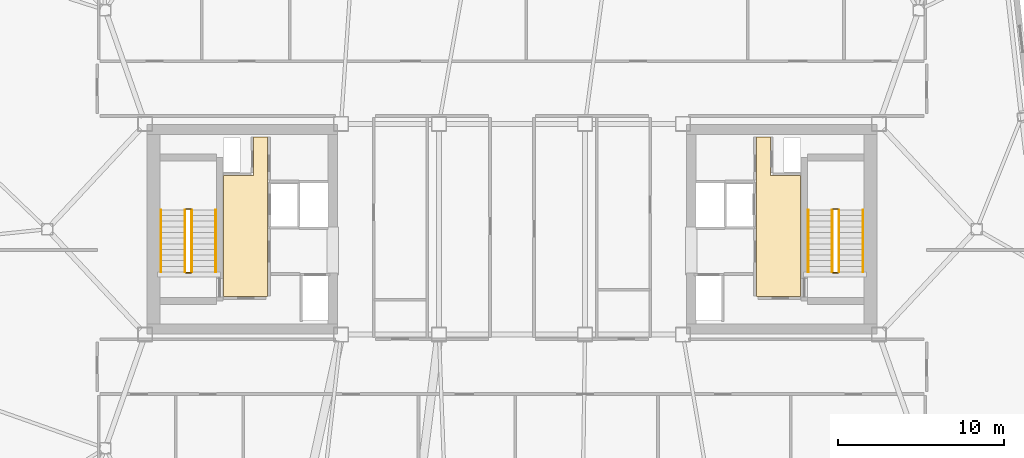
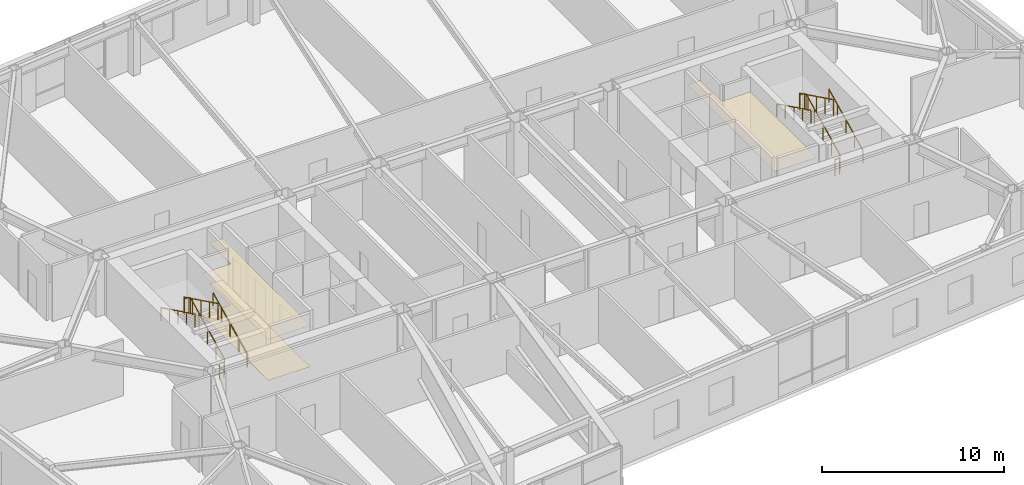
# One storey, part 19 of 19: 12 railings, 3 coverings.
"""IFC4 building model written with IfcOpenShell, lengths in metres."""

from ifc_helpers import new_model, si_unit, direction, frame, origin, origin_2d, place, context, subcontext, project, spatial, polyline, rectangle, outline, extrude, material, layer, layer_set, type_object, element, save


model = new_model("IFC4")

# Units and contexts
model_context = context("Model", 3, precision=1e-05, world=origin(), true_north=direction((0.0, 1.0)))
body_context = subcontext(model_context, "Body", "Model", "MODEL_VIEW")
ifc_project = project(units=[si_unit("LENGTHUNIT", "METRE"), si_unit("AREAUNIT", "SQUARE_METRE"), si_unit("VOLUMEUNIT", "CUBIC_METRE"), si_unit("PLANEANGLEUNIT", "RADIAN"), si_unit("MASSUNIT", "GRAM", prefix="KILO")], contexts=[model_context])

# Site, building, storey
site_placement = place(None, origin())
site = spatial("IfcSite", under=ifc_project, at=site_placement, CompositionType="ELEMENT")
building_placement = place(site_placement, origin())
building = spatial("IfcBuilding", under=site, at=building_placement, Name="Tavrogorsk Clinical Tower", CompositionType="ELEMENT")
storey_placement = place(building_placement, frame((0.0, 0.0, 218.199951171875)))
storey = spatial("IfcBuildingStorey", under=building, at=storey_placement, Name="L50", CompositionType="ELEMENT", Elevation=218.199951171875)

# Coverings
ifc_material_1 = material(Name="Antibacterial micro-perforated aluminium ceiling", Category="aluminium")
ifc_layer_1 = layer(ifc_material_1, 0.014892578125)
ifc_layer_set_1 = layer_set([ifc_layer_1], Name="Antibacterial micro-perforated aluminium ceiling")
covering_type_1 = type_object("IfcCoveringType", Name="ClinicalCeiling_15", PredefinedType="CEILING", material=ifc_layer_set_1)
covering_1_placement = place(storey_placement, frame((0.0, 0.0, 2.75)))
element("IfcCovering", 1, at=covering_1_placement, inside=storey, type_object=covering_type_1, Name="Core West Firefighting Lift Lobby Acoustic Ceiling", PredefinedType="CEILING", context=body_context, shape_type="SweptSolid", body=[
    extrude(outline(polyline([(-14.719970703125, 5.56005859375), (-14.719970703125, -4.06005859375), (-17.3798828125, -4.06005859375), (-17.3798828125, 3.239990234375), (-15.56005859375, 3.239990234375), (-15.56005859375, 5.56005859375), (-14.719970703125, 5.56005859375)])), origin(), (0.0, 0.0, 1.0), 0.01513671875),
])
covering_2_placement = place(storey_placement, frame((0.0, 0.0, 2.75)))
element("IfcCovering", 2, at=covering_2_placement, inside=storey, type_object=covering_type_1, Name="Core East Firefighting Lift Lobby Acoustic Ceiling", PredefinedType="CEILING", context=body_context, shape_type="SweptSolid", body=[
    extrude(outline(polyline([(17.3798828125, -4.06005859375), (14.719970703125, -4.06005859375), (14.719970703125, 5.56005859375), (15.56005859375, 5.56005859375), (15.56005859375, 3.239990234375), (17.3798828125, 3.239990234375), (17.3798828125, -4.06005859375)])), origin(), (0.0, 0.0, 1.0), 0.01513671875),
])
ifc_material_2 = material(Name="Homogeneous medical conductive PVC flooring")
ifc_layer_2 = layer(ifc_material_2, 0.008056640625)
ifc_layer_set_2 = layer_set([ifc_layer_2], Name="Homogeneous medical conductive PVC flooring")
covering_type_2 = type_object("IfcCoveringType", Name="ResilientVinylFloor_8", PredefinedType="FLOORING", material=ifc_layer_set_2)
covering_3_placement = place(storey_placement, origin())
element("IfcCovering", 3, at=covering_3_placement, inside=storey, type_object=covering_type_2, Name="Core West Firefighting Lift Lobby Conductive Vinyl Flooring", PredefinedType="FLOORING", context=body_context, shape_type="SweptSolid", body=[
    extrude(outline(polyline([(-14.719970703125, 5.56005859375), (-14.719970703125, -4.06005859375), (-17.3798828125, -4.06005859375), (-17.3798828125, 3.239990234375), (-15.56005859375, 3.239990234375), (-15.56005859375, 5.56005859375), (-14.719970703125, 5.56005859375)])), origin(), (0.0, 0.0, 1.0), 0.008056640625),
])

# Railings
ifc_material_3 = material(Name="Galvanised steel S355 safety stairwell guard", Category="steel")
ifc_layer_3 = layer(ifc_material_3, 0.06005859375)
ifc_layer_set_3 = layer_set([ifc_layer_3], Name="Galvanised steel S355 safety stairwell guard")
railing_type_1 = type_object("IfcRailingType", Name="StairGuard_1150", PredefinedType="GUARDRAIL", material=ifc_layer_set_3)
railing_1_placement = place(storey_placement, frame((-19.300048828125, -2.574951171875, 0.166748046875)))
element("IfcRailing", 4, at=railing_1_placement, inside=storey, type_object=railing_type_1, Name="L50 ST-W stair guard 1", PredefinedType="GUARDRAIL", context=body_context, shape_type="SweptSolid", body=[
    extrude(rectangle(XDim=0.048095703125, YDim=0.048095703125, at=origin_2d()), frame((0.0, 0.0, 1.076171875), z_axis=(0.0, 0.897927990467, 0.440142390523), x_axis=(-1.0, 0.0, 0.0)), (0.0, 0.0, 1.0), 4.1650390625),
    extrude(rectangle(XDim=0.0419921875, YDim=0.0419921875, at=origin_2d()), origin(), (0.0, 0.0, 1.0), 1.052001953125),
    extrude(rectangle(XDim=0.0419921875, YDim=0.0419921875, at=origin_2d()), frame((0.0, 0.93505859375, 0.458251953125)), (0.0, 0.0, 1.0), 1.052001953125),
    extrude(rectangle(XDim=0.0419921875, YDim=0.0419921875, at=origin_2d()), frame((0.0, 1.8701171875, 0.91650390625)), (0.0, 0.0, 1.0), 1.052001953125),
    extrude(rectangle(XDim=0.0419921875, YDim=0.0419921875, at=origin_2d()), frame((0.0, 2.804931640625, 1.375)), (0.0, 0.0, 1.0), 1.052001953125),
    extrude(rectangle(XDim=0.0419921875, YDim=0.0419921875, at=origin_2d()), frame((0.0, 3.739990234375, 1.833251953125)), (0.0, 0.0, 1.0), 1.052001953125),
])
railing_2_placement = place(storey_placement, frame((-19.35009765625, 1.215087890625, 2.0)))
element("IfcRailing", 5, at=railing_2_placement, inside=storey, type_object=railing_type_1, Name="L50 ST-W stair guard 2", PredefinedType="GUARDRAIL", context=body_context, shape_type="SweptSolid", body=[
    extrude(rectangle(XDim=0.048095703125, YDim=0.048095703125, at=origin_2d()), frame((0.0, 0.0, 1.076171875), z_axis=(-1.0, 0.0, 0.0), x_axis=(0.0, -1.0, 0.0)), (0.0, 0.0, 1.0), 0.2998046875),
    extrude(rectangle(XDim=0.0419921875, YDim=0.0419921875, at=origin_2d()), origin(), (0.0, 0.0, 1.0), 1.052001953125),
    extrude(rectangle(XDim=0.0419921875, YDim=0.0419921875, at=origin_2d()), frame((-0.2998046875, 0.0, 0.0)), (0.0, 0.0, 1.0), 1.052001953125),
])
railing_3_placement = place(storey_placement, frame((-19.699951171875, 1.1650390625, 2.166748046875)))
element("IfcRailing", 6, at=railing_3_placement, inside=storey, type_object=railing_type_1, Name="L50 ST-W stair guard 3", PredefinedType="GUARDRAIL", context=body_context, shape_type="SweptSolid", body=[
    extrude(rectangle(XDim=0.048095703125, YDim=0.048095703125, at=origin_2d()), frame((0.0, 0.0, 1.076171875), z_axis=(0.0, -0.897927990467, 0.440142390523), x_axis=(1.0, 0.0, 0.0)), (0.0, 0.0, 1.0), 4.1650390625),
    extrude(rectangle(XDim=0.0419921875, YDim=0.0419921875, at=origin_2d()), origin(), (0.0, 0.0, 1.0), 1.052001953125),
    extrude(rectangle(XDim=0.0419921875, YDim=0.0419921875, at=origin_2d()), frame((0.0, -0.93505859375, 0.458251953125)), (0.0, 0.0, 1.0), 1.052001953125),
    extrude(rectangle(XDim=0.0419921875, YDim=0.0419921875, at=origin_2d()), frame((0.0, -1.8701171875, 0.91650390625)), (0.0, 0.0, 1.0), 1.052001953125),
    extrude(rectangle(XDim=0.0419921875, YDim=0.0419921875, at=origin_2d()), frame((0.0, -2.804931640625, 1.375)), (0.0, 0.0, 1.0), 1.052001953125),
    extrude(rectangle(XDim=0.0419921875, YDim=0.0419921875, at=origin_2d()), frame((0.0, -3.739990234375, 1.833251953125)), (0.0, 0.0, 1.0), 1.052001953125),
])
railing_4_placement = place(storey_placement, frame((-19.35009765625, -2.625, 0.0)))
element("IfcRailing", 7, at=railing_4_placement, inside=storey, type_object=railing_type_1, Name="L50 ST-W stair guard 4", PredefinedType="GUARDRAIL", context=body_context, shape_type="SweptSolid", body=[
    extrude(rectangle(XDim=0.048095703125, YDim=0.048095703125, at=origin_2d()), frame((0.0, 0.0, 1.076171875), z_axis=(-1.0, 0.0, 0.0), x_axis=(0.0, -1.0, 0.0)), (0.0, 0.0, 1.0), 0.2998046875),
    extrude(rectangle(XDim=0.0419921875, YDim=0.0419921875, at=origin_2d()), origin(), (0.0, 0.0, 1.0), 1.052001953125),
    extrude(rectangle(XDim=0.0419921875, YDim=0.0419921875, at=origin_2d()), frame((-0.2998046875, 0.0, 0.0)), (0.0, 0.0, 1.0), 1.052001953125),
])
railing_5_placement = place(storey_placement, frame((19.699951171875, -2.574951171875, 0.166748046875)))
element("IfcRailing", 8, at=railing_5_placement, inside=storey, type_object=railing_type_1, Name="L50 ST-E stair guard 1", PredefinedType="GUARDRAIL", context=body_context, shape_type="SweptSolid", body=[
    extrude(rectangle(XDim=0.048095703125, YDim=0.048095703125, at=origin_2d()), frame((0.0, 0.0, 1.076171875), z_axis=(0.0, 0.897927990467, 0.440142390523), x_axis=(-1.0, 0.0, 0.0)), (0.0, 0.0, 1.0), 4.1650390625),
    extrude(rectangle(XDim=0.0419921875, YDim=0.0419921875, at=origin_2d()), origin(), (0.0, 0.0, 1.0), 1.052001953125),
    extrude(rectangle(XDim=0.0419921875, YDim=0.0419921875, at=origin_2d()), frame((0.0, 0.93505859375, 0.458251953125)), (0.0, 0.0, 1.0), 1.052001953125),
    extrude(rectangle(XDim=0.0419921875, YDim=0.0419921875, at=origin_2d()), frame((0.0, 1.8701171875, 0.91650390625)), (0.0, 0.0, 1.0), 1.052001953125),
    extrude(rectangle(XDim=0.0419921875, YDim=0.0419921875, at=origin_2d()), frame((0.0, 2.804931640625, 1.375)), (0.0, 0.0, 1.0), 1.052001953125),
    extrude(rectangle(XDim=0.0419921875, YDim=0.0419921875, at=origin_2d()), frame((0.0, 3.739990234375, 1.833251953125)), (0.0, 0.0, 1.0), 1.052001953125),
])
railing_6_placement = place(storey_placement, frame((19.64990234375, 1.215087890625, 2.0)))
element("IfcRailing", 9, at=railing_6_placement, inside=storey, type_object=railing_type_1, Name="L50 ST-E stair guard 2", PredefinedType="GUARDRAIL", context=body_context, shape_type="SweptSolid", body=[
    extrude(rectangle(XDim=0.048095703125, YDim=0.048095703125, at=origin_2d()), frame((0.0, 0.0, 1.076171875), z_axis=(-1.0, 0.0, 0.0), x_axis=(0.0, -1.0, 0.0)), (0.0, 0.0, 1.0), 0.2998046875),
    extrude(rectangle(XDim=0.0419921875, YDim=0.0419921875, at=origin_2d()), origin(), (0.0, 0.0, 1.0), 1.052001953125),
    extrude(rectangle(XDim=0.0419921875, YDim=0.0419921875, at=origin_2d()), frame((-0.2998046875, 0.0, 0.0)), (0.0, 0.0, 1.0), 1.052001953125),
])
railing_7_placement = place(storey_placement, frame((19.300048828125, 1.1650390625, 2.166748046875)))
element("IfcRailing", 10, at=railing_7_placement, inside=storey, type_object=railing_type_1, Name="L50 ST-E stair guard 3", PredefinedType="GUARDRAIL", context=body_context, shape_type="SweptSolid", body=[
    extrude(rectangle(XDim=0.048095703125, YDim=0.048095703125, at=origin_2d()), frame((0.0, 0.0, 1.076171875), z_axis=(0.0, -0.897927990467, 0.440142390523), x_axis=(1.0, 0.0, 0.0)), (0.0, 0.0, 1.0), 4.1650390625),
    extrude(rectangle(XDim=0.0419921875, YDim=0.0419921875, at=origin_2d()), origin(), (0.0, 0.0, 1.0), 1.052001953125),
    extrude(rectangle(XDim=0.0419921875, YDim=0.0419921875, at=origin_2d()), frame((0.0, -0.93505859375, 0.458251953125)), (0.0, 0.0, 1.0), 1.052001953125),
    extrude(rectangle(XDim=0.0419921875, YDim=0.0419921875, at=origin_2d()), frame((0.0, -1.8701171875, 0.91650390625)), (0.0, 0.0, 1.0), 1.052001953125),
    extrude(rectangle(XDim=0.0419921875, YDim=0.0419921875, at=origin_2d()), frame((0.0, -2.804931640625, 1.375)), (0.0, 0.0, 1.0), 1.052001953125),
    extrude(rectangle(XDim=0.0419921875, YDim=0.0419921875, at=origin_2d()), frame((0.0, -3.739990234375, 1.833251953125)), (0.0, 0.0, 1.0), 1.052001953125),
])
railing_8_placement = place(storey_placement, frame((19.64990234375, -2.625, 0.0)))
element("IfcRailing", 11, at=railing_8_placement, inside=storey, type_object=railing_type_1, Name="L50 ST-E stair guard 4", PredefinedType="GUARDRAIL", context=body_context, shape_type="SweptSolid", body=[
    extrude(rectangle(XDim=0.048095703125, YDim=0.048095703125, at=origin_2d()), frame((0.0, 0.0, 1.076171875), z_axis=(-1.0, 0.0, 0.0), x_axis=(0.0, -1.0, 0.0)), (0.0, 0.0, 1.0), 0.2998046875),
    extrude(rectangle(XDim=0.0419921875, YDim=0.0419921875, at=origin_2d()), origin(), (0.0, 0.0, 1.0), 1.052001953125),
    extrude(rectangle(XDim=0.0419921875, YDim=0.0419921875, at=origin_2d()), frame((-0.2998046875, 0.0, 0.0)), (0.0, 0.0, 1.0), 1.052001953125),
])
ifc_material_4 = material(Name="Stainless steel AISI 304 tubular handrail", Category="steel")
ifc_layer_4 = layer(ifc_material_4, 0.050048828125)
ifc_layer_set_4 = layer_set([ifc_layer_4], Name="Stainless steel AISI 304 tubular handrail")
railing_type_2 = type_object("IfcRailingType", Name="StairHandrail_920", PredefinedType="HANDRAIL", material=ifc_layer_set_4)
railing_9_placement = place(storey_placement, frame((-17.85009765625, -2.574951171875, 0.166748046875)))
element("IfcRailing", 12, at=railing_9_placement, inside=storey, type_object=railing_type_2, Name="L50 ST-W stair handrail 1", PredefinedType="HANDRAIL", context=body_context, shape_type="SweptSolid", body=[
    extrude(rectangle(XDim=0.048095703125, YDim=0.048095703125, at=origin_2d()), frame((0.0, 0.0, 0.8759765625), z_axis=(0.0, 0.897927990467, 0.440142390523), x_axis=(-1.0, 0.0, 0.0)), (0.0, 0.0, 1.0), 4.1650390625),
    extrude(rectangle(XDim=0.0419921875, YDim=0.0419921875, at=origin_2d()), origin(), (0.0, 0.0, 1.0), 0.851806640625),
    extrude(rectangle(XDim=0.0419921875, YDim=0.0419921875, at=origin_2d()), frame((0.0, 0.93505859375, 0.458251953125)), (0.0, 0.0, 1.0), 0.851806640625),
    extrude(rectangle(XDim=0.0419921875, YDim=0.0419921875, at=origin_2d()), frame((0.0, 1.8701171875, 0.91650390625)), (0.0, 0.0, 1.0), 0.851806640625),
    extrude(rectangle(XDim=0.0419921875, YDim=0.0419921875, at=origin_2d()), frame((0.0, 2.804931640625, 1.375)), (0.0, 0.0, 1.0), 0.851806640625),
    extrude(rectangle(XDim=0.0419921875, YDim=0.0419921875, at=origin_2d()), frame((0.0, 3.739990234375, 1.833251953125)), (0.0, 0.0, 1.0), 0.851806640625),
])
railing_10_placement = place(storey_placement, frame((-21.14990234375, 1.1650390625, 2.166748046875)))
element("IfcRailing", 13, at=railing_10_placement, inside=storey, type_object=railing_type_2, Name="L50 ST-W stair handrail 2", PredefinedType="HANDRAIL", context=body_context, shape_type="SweptSolid", body=[
    extrude(rectangle(XDim=0.048095703125, YDim=0.048095703125, at=origin_2d()), frame((0.0, 0.0, 0.8759765625), z_axis=(0.0, -0.897927990467, 0.440142390523), x_axis=(1.0, 0.0, 0.0)), (0.0, 0.0, 1.0), 4.1650390625),
    extrude(rectangle(XDim=0.0419921875, YDim=0.0419921875, at=origin_2d()), origin(), (0.0, 0.0, 1.0), 0.851806640625),
    extrude(rectangle(XDim=0.0419921875, YDim=0.0419921875, at=origin_2d()), frame((0.0, -0.93505859375, 0.458251953125)), (0.0, 0.0, 1.0), 0.851806640625),
    extrude(rectangle(XDim=0.0419921875, YDim=0.0419921875, at=origin_2d()), frame((0.0, -1.8701171875, 0.91650390625)), (0.0, 0.0, 1.0), 0.851806640625),
    extrude(rectangle(XDim=0.0419921875, YDim=0.0419921875, at=origin_2d()), frame((0.0, -2.804931640625, 1.375)), (0.0, 0.0, 1.0), 0.851806640625),
    extrude(rectangle(XDim=0.0419921875, YDim=0.0419921875, at=origin_2d()), frame((0.0, -3.739990234375, 1.833251953125)), (0.0, 0.0, 1.0), 0.851806640625),
])
railing_11_placement = place(storey_placement, frame((21.14990234375, -2.574951171875, 0.166748046875)))
element("IfcRailing", 14, at=railing_11_placement, inside=storey, type_object=railing_type_2, Name="L50 ST-E stair handrail 1", PredefinedType="HANDRAIL", context=body_context, shape_type="SweptSolid", body=[
    extrude(rectangle(XDim=0.048095703125, YDim=0.048095703125, at=origin_2d()), frame((0.0, 0.0, 0.8759765625), z_axis=(0.0, 0.897927990467, 0.440142390523), x_axis=(-1.0, 0.0, 0.0)), (0.0, 0.0, 1.0), 4.1650390625),
    extrude(rectangle(XDim=0.0419921875, YDim=0.0419921875, at=origin_2d()), origin(), (0.0, 0.0, 1.0), 0.851806640625),
    extrude(rectangle(XDim=0.0419921875, YDim=0.0419921875, at=origin_2d()), frame((0.0, 0.93505859375, 0.458251953125)), (0.0, 0.0, 1.0), 0.851806640625),
    extrude(rectangle(XDim=0.0419921875, YDim=0.0419921875, at=origin_2d()), frame((0.0, 1.8701171875, 0.91650390625)), (0.0, 0.0, 1.0), 0.851806640625),
    extrude(rectangle(XDim=0.0419921875, YDim=0.0419921875, at=origin_2d()), frame((0.0, 2.804931640625, 1.375)), (0.0, 0.0, 1.0), 0.851806640625),
    extrude(rectangle(XDim=0.0419921875, YDim=0.0419921875, at=origin_2d()), frame((0.0, 3.739990234375, 1.833251953125)), (0.0, 0.0, 1.0), 0.851806640625),
])
railing_12_placement = place(storey_placement, frame((17.85009765625, 1.1650390625, 2.166748046875)))
element("IfcRailing", 15, at=railing_12_placement, inside=storey, type_object=railing_type_2, Name="L50 ST-E stair handrail 2", PredefinedType="HANDRAIL", context=body_context, shape_type="SweptSolid", body=[
    extrude(rectangle(XDim=0.048095703125, YDim=0.048095703125, at=origin_2d()), frame((0.0, 0.0, 0.8759765625), z_axis=(0.0, -0.897927990467, 0.440142390523), x_axis=(1.0, 0.0, 0.0)), (0.0, 0.0, 1.0), 4.1650390625),
    extrude(rectangle(XDim=0.0419921875, YDim=0.0419921875, at=origin_2d()), origin(), (0.0, 0.0, 1.0), 0.851806640625),
    extrude(rectangle(XDim=0.0419921875, YDim=0.0419921875, at=origin_2d()), frame((0.0, -0.93505859375, 0.458251953125)), (0.0, 0.0, 1.0), 0.851806640625),
    extrude(rectangle(XDim=0.0419921875, YDim=0.0419921875, at=origin_2d()), frame((0.0, -1.8701171875, 0.91650390625)), (0.0, 0.0, 1.0), 0.851806640625),
    extrude(rectangle(XDim=0.0419921875, YDim=0.0419921875, at=origin_2d()), frame((0.0, -2.804931640625, 1.375)), (0.0, 0.0, 1.0), 0.851806640625),
    extrude(rectangle(XDim=0.0419921875, YDim=0.0419921875, at=origin_2d()), frame((0.0, -3.739990234375, 1.833251953125)), (0.0, 0.0, 1.0), 0.851806640625),
])

save(model, "model.ifc")
